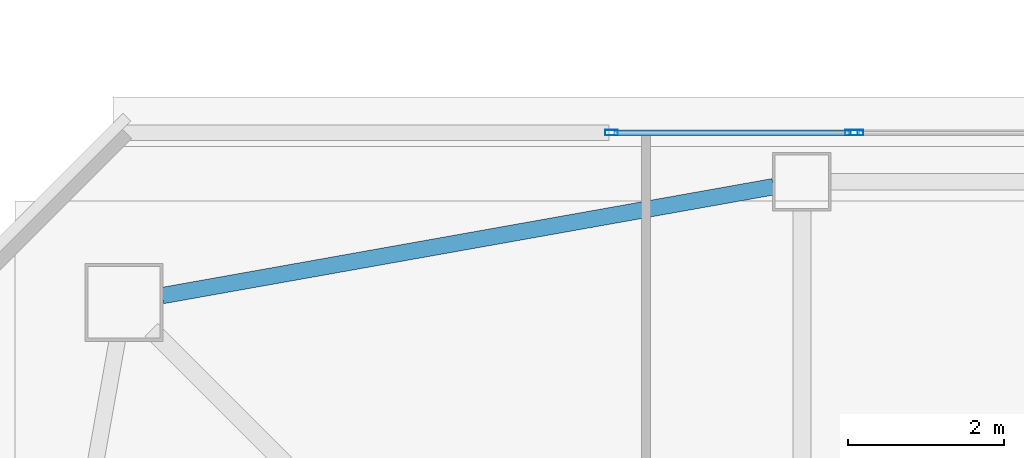
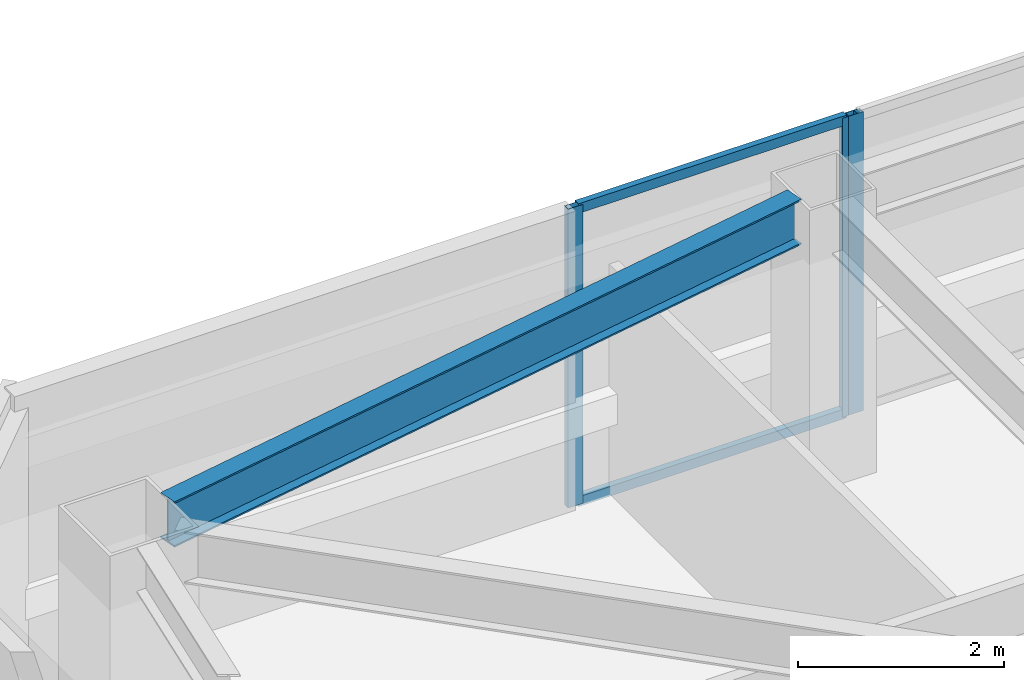
# One storey, part 13 of 40: 5 members, 1 beam, 2 elements without a shape of their own.
"""IFC4 building model written with IfcOpenShell, lengths in metres."""

from ifc_helpers import new_model, si_unit, direction, frame, origin, origin_2d, place, context, subcontext, project, spatial, hollow_rectangle, i_section, extrude, material, material_profile, profile_set, type_object, element, aggregate, save


model = new_model("IFC4")

# Units and contexts
model_context = context("Model", 3, precision=1e-05, world=origin(), true_north=direction((0.0, 1.0)))
body_context = subcontext(model_context, "Body", "Model", "MODEL_VIEW")
ifc_project = project(units=[si_unit("LENGTHUNIT", "METRE"), si_unit("AREAUNIT", "SQUARE_METRE"), si_unit("VOLUMEUNIT", "CUBIC_METRE"), si_unit("PLANEANGLEUNIT", "RADIAN"), si_unit("MASSUNIT", "GRAM", prefix="KILO")], contexts=[model_context])

# Site, building, storey
site_placement = place(None, origin())
site = spatial("IfcSite", under=ifc_project, at=site_placement, CompositionType="ELEMENT")
building_placement = place(site_placement, origin())
building = spatial("IfcBuilding", under=site, at=building_placement, Name="Tashvorn Skyway Center", CompositionType="ELEMENT")
storey_placement = place(building_placement, frame((0.0, 0.0, 221.949951171875)))
storey = spatial("IfcBuildingStorey", under=building, at=storey_placement, Name="L60", CompositionType="ELEMENT", Elevation=221.949951171875)

# Beam
ifc_material_1 = material(Name="Steel ASTM A992 Grade 50", Category="steel")
ifc_material_profile_1 = material_profile(ifc_material_1, i_section(OverallWidth=0.2109375, OverallDepth=0.5390625, WebThickness=0.01171875, FlangeThickness=0.018798828125, at=origin_2d()), Name="W21X73")
ifc_profile_set_1 = profile_set([ifc_material_profile_1], Name="Steel ASTM A992 Grade 50")
beam_type = type_object("IfcBeamType", Name="BM-SPANDREL-W21X73", PredefinedType="SPANDREL", material=ifc_profile_set_1)
beam_placement = place(storey_placement, frame((36.23583984375, 47.585205078125, 3.1005859375), z_axis=(-0.984494883191, -0.17541329759, 0.0), x_axis=(0.17541329759, -0.984494883191, 0.0)))
element("IfcBeam", 1, at=beam_placement, inside=storey, type_object=beam_type, Name="Tower 1 L60 Spandrel Beam 09", PredefinedType="SPANDREL", context=body_context, shape_type="SweptSolid", body=[
    extrude(i_section(OverallWidth=0.2109375, OverallDepth=0.5390625, WebThickness=0.01171875, FlangeThickness=0.018798828125, at=origin_2d()), origin(), (0.0, 0.0, 1.0), 7.97216796875),
])

# Curtain wall, members
ifc_material_2 = material(Name="Thermally broken bronze-anodized aluminium 6063-T6", Category="aluminium")
curtain_wall_type = type_object("IfcCurtainWallType", Name="CW-CW-Z5", PredefinedType="NOTDEFINED", material=ifc_material_2)
curtain_wall_1_placement = place(storey_placement, origin())
curtain_wall_1 = element("IfcCurtainWall", 2, at=curtain_wall_1_placement, inside=storey, type_object=curtain_wall_type, Name="Tower 1 L60 North Unitised Curtain Wall Glazing Group 1", PredefinedType="NOTDEFINED")
ifc_material_profile_2 = material_profile(ifc_material_2, hollow_rectangle(XDim=0.070068359375, YDim=0.1650390625, WallThickness=0.00390625, at=origin_2d()), Name="ALU-MULL-70x165")
ifc_profile_set_2 = profile_set([ifc_material_profile_2], Name="Thermally broken bronze-anodized aluminium 6063-T6")
member_type_1 = type_object("IfcMemberType", Name="CWM-CW-Z5", PredefinedType="MULLION", material=ifc_profile_set_2)
member_1_placement = place(storey_placement, frame((34.1572265625, 48.280029296875, 0.0), z_axis=(0.0, 0.0, 1.0), x_axis=(0.0, 1.0, 0.0)))
member_1 = element("IfcMember", 3, at=member_1_placement, type_object=member_type_1, Name="CW-Z5 mullion 1", PredefinedType="MULLION", context=body_context, shape_type="SweptSolid", body=[
    extrude(hollow_rectangle(XDim=0.070068359375, YDim=0.1650390625, WallThickness=0.00390625, at=origin_2d()), origin(), (0.0, 0.0, 1.0), 3.550048828125),
])
member_2_placement = place(storey_placement, frame((37.23828125, 48.280029296875, 0.0), z_axis=(0.0, 0.0, 1.0), x_axis=(0.0, 1.0, 0.0)))
member_2 = element("IfcMember", 4, at=member_2_placement, type_object=member_type_1, Name="CW-Z5 mullion 2", PredefinedType="MULLION", context=body_context, shape_type="SweptSolid", body=[
    extrude(hollow_rectangle(XDim=0.070068359375, YDim=0.1650390625, WallThickness=0.00390625, at=origin_2d()), origin(), (0.0, 0.0, 1.0), 3.550048828125),
])

# Curtain wall, member
curtain_wall_2_placement = place(storey_placement, origin())
curtain_wall_2 = element("IfcCurtainWall", 5, at=curtain_wall_2_placement, inside=storey, type_object=curtain_wall_type, Name="Tower 1 L60 North Unitised Curtain Wall Glazing Group 2", PredefinedType="NOTDEFINED")
member_3_placement = place(storey_placement, frame((37.308349609375, 48.280029296875, 0.0), z_axis=(0.0, 0.0, 1.0), x_axis=(0.0, 1.0, 0.0)))
member_3 = element("IfcMember", 6, at=member_3_placement, type_object=member_type_1, Name="CW-Z5 mullion 1", PredefinedType="MULLION", context=body_context, shape_type="SweptSolid", body=[
    extrude(hollow_rectangle(XDim=0.070068359375, YDim=0.1650390625, WallThickness=0.00390625, at=origin_2d()), origin(), (0.0, 0.0, 1.0), 3.550048828125),
])
aggregate(curtain_wall_2, [member_3])

# Member
ifc_material_profile_3 = material_profile(ifc_material_2, hollow_rectangle(XDim=0.070068359375, YDim=0.114990234375, WallThickness=0.00390625, at=origin_2d()), Name="ALU-TRAN-70x115")
ifc_profile_set_3 = profile_set([ifc_material_profile_3], Name="Thermally broken bronze-anodized aluminium 6063-T6")
member_type_2 = type_object("IfcMemberType", Name="CWT-CW-Z5", PredefinedType="USERDEFINED", material=ifc_profile_set_3)
member_4_placement = place(storey_placement, frame((34.192138671875, 48.280029296875, 0.03515625), z_axis=(1.0, 0.0, 0.0), x_axis=(0.0, 1.0, 0.0)))
member_4 = element("IfcMember", 7, at=member_4_placement, type_object=member_type_2, Name="CW-Z5 transom 1.1", ObjectType="TRANSOM", PredefinedType="USERDEFINED", context=body_context, shape_type="SweptSolid", body=[
    extrude(hollow_rectangle(XDim=0.070068359375, YDim=0.114990234375, WallThickness=0.00390625, at=origin_2d()), origin(), (0.0, 0.0, 1.0), 3.01123046875),
])

member_5_placement = place(storey_placement, frame((34.192138671875, 48.280029296875, 3.51513671875), z_axis=(1.0, 0.0, 0.0), x_axis=(0.0, 1.0, 0.0)))
member_5 = element("IfcMember", 8, at=member_5_placement, type_object=member_type_2, Name="CW-Z5 transom 1.2", ObjectType="TRANSOM", PredefinedType="USERDEFINED", context=body_context, shape_type="SweptSolid", body=[
    extrude(hollow_rectangle(XDim=0.070068359375, YDim=0.114990234375, WallThickness=0.00390625, at=origin_2d()), origin(), (0.0, 0.0, 1.0), 3.01123046875),
])

aggregate(curtain_wall_1, [member_1, member_2, member_4, member_5])

save(model, "model.ifc")
